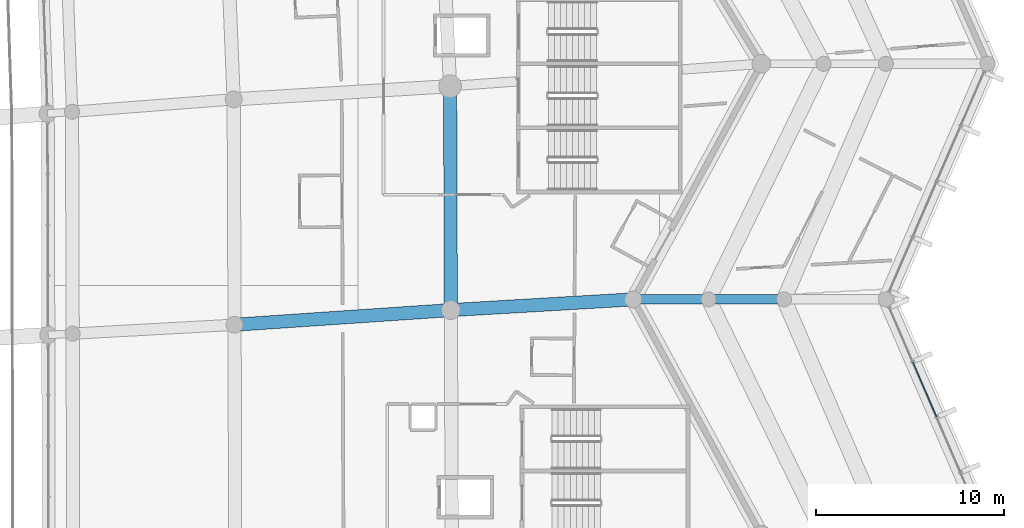
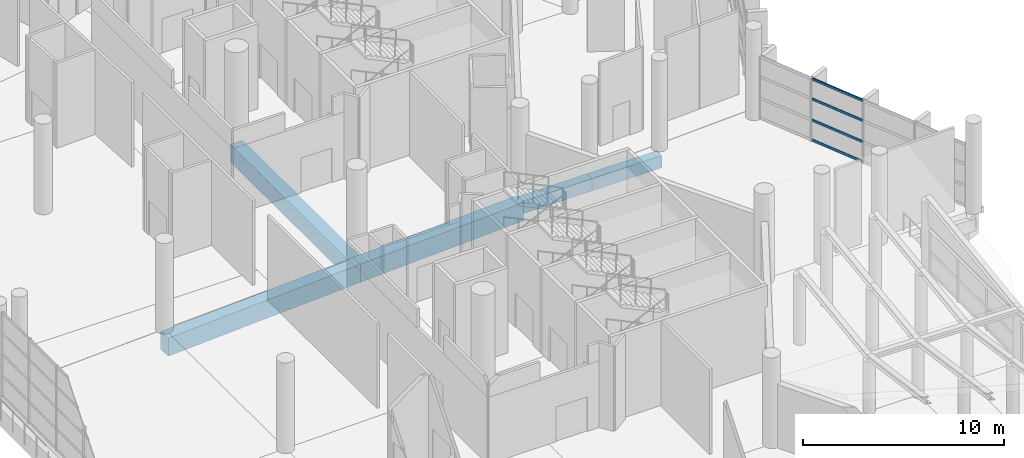
# One storey, part 98 of 271: 5 beams, 4 members, 1 element without a shape of its own.
"""IFC4 building model written with IfcOpenShell, lengths in metres."""

from ifc_helpers import new_model, si_unit, direction, frame, origin, origin_2d, place, context, subcontext, project, spatial, rectangle, extrude, material, layer, layer_set, material_profile, profile_set, type_object, element, aggregate, save


model = new_model("IFC4")

# Units and contexts
model_context = context("Model", 3, precision=1e-05, world=origin(), true_north=direction((0.0, 1.0)))
body_context = subcontext(model_context, "Body", "Model", "MODEL_VIEW")
ifc_project = project(units=[si_unit("LENGTHUNIT", "METRE"), si_unit("AREAUNIT", "SQUARE_METRE"), si_unit("VOLUMEUNIT", "CUBIC_METRE"), si_unit("PLANEANGLEUNIT", "RADIAN"), si_unit("MASSUNIT", "GRAM", prefix="KILO")], contexts=[model_context])

# Site, building, storey
site_placement = place(None, origin())
site = spatial("IfcSite", under=ifc_project, at=site_placement, CompositionType="ELEMENT")
building_placement = place(site_placement, origin())
building = spatial("IfcBuilding", under=site, at=building_placement, Name="Meseta Stadium", CompositionType="ELEMENT")
storey_placement = place(building_placement, frame((0.0, 0.0, 6.5)))
storey = spatial("IfcBuildingStorey", under=building, at=storey_placement, Name="L01", CompositionType="ELEMENT", Elevation=6.5)

# Beams
ifc_material_1 = material(Name="Concrete C40/50", Category="concrete")
ifc_material_profile_1 = material_profile(ifc_material_1, rectangle(XDim=0.5, YDim=0.75, at=origin_2d()), Name="RC 500x750")
ifc_profile_set_1 = profile_set([ifc_material_profile_1], Name="Concrete C40/50")
beam_type_1 = type_object("IfcBeamType", Name="RC beam 500x750", PredefinedType="BEAM", material=ifc_profile_set_1)
for number, where, z_axis, x_axis, name in (
    (1, (94.60009765625, 31.25, -0.72509765625), (1.0, 0.0, 0.0), (0.0, 1.0, 0.0), "L01 radial beam frame 7 line R to M"),
    (2, (98.60009765625, 31.25, -0.72509765625), (1.0, 0.0, 0.0), (0.0, 1.0, 0.0), "L01 radial beam frame 7 line M to Q"),
):
    element("IfcBeam", number, at=place(storey_placement, frame(where, z_axis=z_axis, x_axis=x_axis)), inside=storey, type_object=beam_type_1, Name=name, PredefinedType="BEAM", context=body_context, shape_type="SweptSolid", body=[
        extrude(rectangle(XDim=0.5, YDim=0.75, at=origin_2d()), origin(), (0.0, 0.0, 1.0), 4.0),
    ])
ifc_material_2 = material(Name="Concrete C40/50", Category="concrete")
ifc_material_profile_2 = material_profile(ifc_material_2, rectangle(XDim=0.699951171875, YDim=1.10009765625, at=origin_2d()), Name="RC 700x1100")
ifc_profile_set_2 = profile_set([ifc_material_profile_2], Name="Concrete C40/50")
beam_type_2 = type_object("IfcBeamType", Name="RC beam 700x1100", PredefinedType="BEAM", material=ifc_profile_set_2)
beam_1_placement = place(storey_placement, frame((84.92529296875, 30.681640625, -0.89990234375), z_axis=(-0.003473057557, 0.999993968917, 0.0), x_axis=(-0.999993968917, -0.003473057557, 0.0)))
element("IfcBeam", 3, at=beam_1_placement, inside=storey, type_object=beam_type_2, Name="L01 ring beam frame 7 line P", PredefinedType="BEAM", context=body_context, shape_type="SweptSolid", body=[
    extrude(rectangle(XDim=0.699951171875, YDim=1.10009765625, at=origin_2d()), origin(), (0.0, 0.0, 1.0), 11.8798828125),
])
beam_2_placement = place(storey_placement, frame((73.451416015625, 29.904052734375, -0.89990234375), z_axis=(0.997711474421, 0.067615189183, 0.0), x_axis=(-0.067615189183, 0.997711474421, 0.0)))
element("IfcBeam", 4, at=beam_2_placement, inside=storey, type_object=beam_type_2, Name="L01 radial beam frame 7 line E to P", PredefinedType="BEAM", context=body_context, shape_type="SweptSolid", body=[
    extrude(rectangle(XDim=0.699951171875, YDim=1.10009765625, at=origin_2d()), origin(), (0.0, 0.0, 1.0), 11.500244140625),
])
beam_3_placement = place(storey_placement, frame((84.92529296875, 30.681640625, -0.89990234375), z_axis=(0.998278887273, 0.058645231896, 0.0), x_axis=(-0.058645231896, 0.998278887273, 0.0)))
element("IfcBeam", 5, at=beam_3_placement, inside=storey, type_object=beam_type_2, Name="L01 radial beam frame 7 line P to R", PredefinedType="BEAM", context=body_context, shape_type="SweptSolid", body=[
    extrude(rectangle(XDim=0.699951171875, YDim=1.10009765625, at=origin_2d()), origin(), (0.0, 0.0, 1.0), 9.69140625),
])

# Curtain wall, members
ifc_material_3 = material(Name="Aluminium", Category="aluminium")
ifc_layer = layer(ifc_material_3, 0.199951171875)
ifc_layer_set = layer_set([ifc_layer], Name="Ring shopfront curtain wall")
curtain_wall_type = type_object("IfcCurtainWallType", Name="Ring shopfront curtain wall", PredefinedType="NOTDEFINED", material=ifc_layer_set)
curtain_wall_placement = place(storey_placement, origin())
curtain_wall = element("IfcCurtainWall", 6, at=curtain_wall_placement, inside=storey, type_object=curtain_wall_type, Name="Ring glazing L01 F06", PredefinedType="NOTDEFINED")
ifc_material_4 = material(Name="Aluminium", Category="aluminium")
ifc_material_profile_3 = material_profile(ifc_material_4, rectangle(XDim=0.06005859375, YDim=0.14990234375, at=origin_2d()), Name="CW 60x150")
ifc_profile_set_3 = profile_set([ifc_material_profile_3], Name="Aluminium")
member_type = type_object("IfcMemberType", Name="Ring CW transom 60x150", PredefinedType="USERDEFINED", material=ifc_profile_set_3)
member_1_placement = place(storey_placement, frame((110.68798828125, 25.027587890625, 0.074951171875), z_axis=(-0.396569883564, 0.918004535637, 0.0), x_axis=(-0.918004535637, -0.396569883564, 0.0)))
member_1 = element("IfcMember", 7, at=member_1_placement, type_object=member_type, Name="CWR1 transom 3.1", ObjectType="TRANSOM", PredefinedType="USERDEFINED", context=body_context, shape_type="SweptSolid", body=[
    extrude(rectangle(XDim=0.06005859375, YDim=0.14990234375, at=origin_2d()), origin(), (0.0, 0.0, 1.0), 3.14404296875),
])
member_2_placement = place(storey_placement, frame((110.68798828125, 25.027587890625, 1.283447265625), z_axis=(-0.396569883564, 0.918004535637, 0.0), x_axis=(-0.918004535637, -0.396569883564, 0.0)))
member_2 = element("IfcMember", 8, at=member_2_placement, type_object=member_type, Name="CWR1 transom 3.2", ObjectType="TRANSOM", PredefinedType="USERDEFINED", context=body_context, shape_type="SweptSolid", body=[
    extrude(rectangle(XDim=0.06005859375, YDim=0.14990234375, at=origin_2d()), origin(), (0.0, 0.0, 1.0), 3.14404296875),
])
member_3_placement = place(storey_placement, frame((110.68798828125, 25.027587890625, 2.566650390625), z_axis=(-0.396569883564, 0.918004535637, 0.0), x_axis=(-0.918004535637, -0.396569883564, 0.0)))
member_3 = element("IfcMember", 9, at=member_3_placement, type_object=member_type, Name="CWR1 transom 3.3", ObjectType="TRANSOM", PredefinedType="USERDEFINED", context=body_context, shape_type="SweptSolid", body=[
    extrude(rectangle(XDim=0.06005859375, YDim=0.14990234375, at=origin_2d()), origin(), (0.0, 0.0, 1.0), 3.14404296875),
])
member_4_placement = place(storey_placement, frame((110.68798828125, 25.027587890625, 3.77490234375), z_axis=(-0.396569883564, 0.918004535637, 0.0), x_axis=(-0.918004535637, -0.396569883564, 0.0)))
member_4 = element("IfcMember", 10, at=member_4_placement, type_object=member_type, Name="CWR1 transom 3.4", ObjectType="TRANSOM", PredefinedType="USERDEFINED", context=body_context, shape_type="SweptSolid", body=[
    extrude(rectangle(XDim=0.06005859375, YDim=0.14990234375, at=origin_2d()), origin(), (0.0, 0.0, 1.0), 3.14404296875),
])
aggregate(curtain_wall, [member_1, member_2, member_3, member_4])

save(model, "model.ifc")
